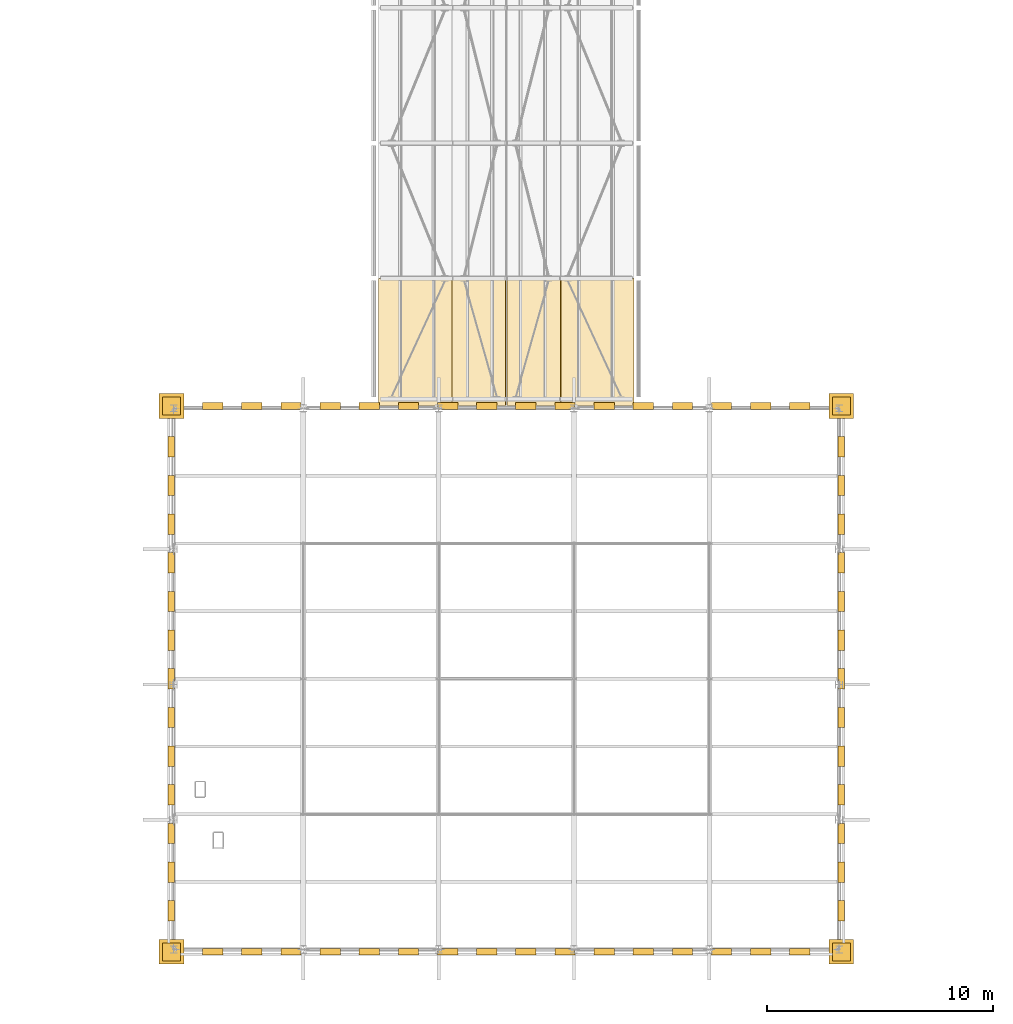
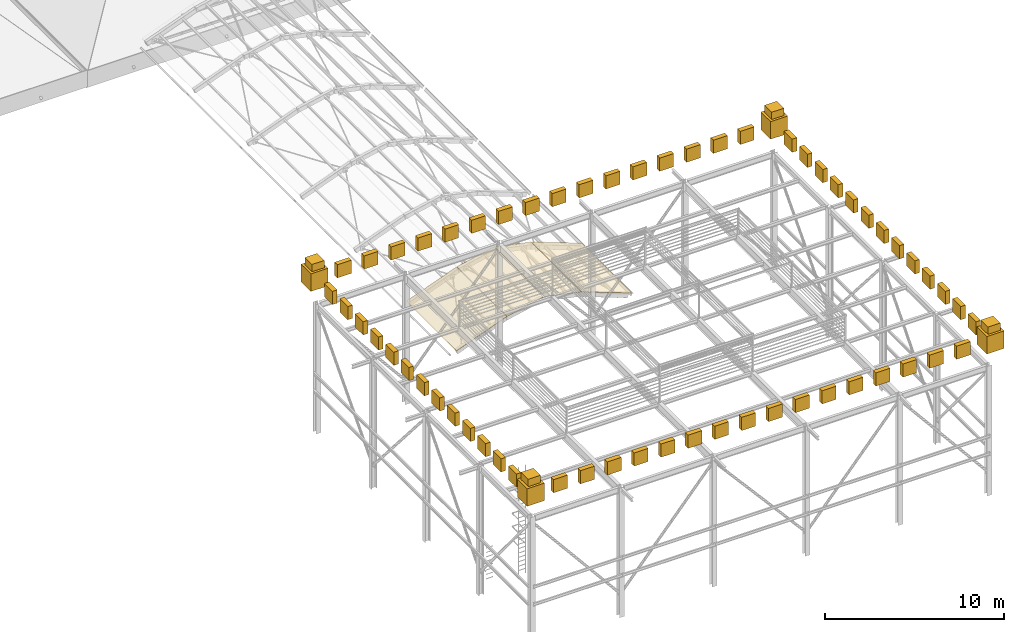
# One storey, part 56 of 57: 70 coverings.
"""IFC4 building model written with IfcOpenShell, lengths in metres."""

from ifc_helpers import new_model, si_unit, direction, frame, origin, place, context, subcontext, project, spatial, polyline, outline, extrude, material, layer, layer_set, type_object, element, save


model = new_model("IFC4")

# Units and contexts
model_context = context("Model", 3, precision=1e-05, world=origin(), true_north=direction((0.0, 1.0)))
body_context = subcontext(model_context, "Body", "Model", "MODEL_VIEW")
ifc_project = project(units=[si_unit("LENGTHUNIT", "METRE"), si_unit("AREAUNIT", "SQUARE_METRE"), si_unit("VOLUMEUNIT", "CUBIC_METRE"), si_unit("PLANEANGLEUNIT", "RADIAN"), si_unit("MASSUNIT", "GRAM", prefix="KILO")], contexts=[model_context])

# Site, building, storey
site_placement = place(None, origin())
site = spatial("IfcSite", under=ifc_project, at=site_placement, CompositionType="ELEMENT")
building_placement = place(site_placement, origin())
building = spatial("IfcBuilding", under=site, at=building_placement, Name="Saffron Lane Theatres", CompositionType="ELEMENT")
storey_placement = place(building_placement, frame((0.0, 0.0, 28.0)))
storey = spatial("IfcBuildingStorey", under=building, at=storey_placement, Name="Upper Roof", CompositionType="ELEMENT", Elevation=28.0)

# Coverings
ifc_material_1 = material(Name="Pale cast stone", Category="masonry")
ifc_layer_1 = layer(ifc_material_1, 1.10009765625)
ifc_layer_set_1 = layer_set([ifc_layer_1], Name="Pale cast stone")
covering_type_1 = type_object("IfcCoveringType", Name="ST-TOWER CROWN PIER", PredefinedType="CLADDING", material=ifc_layer_set_1)
covering_1_placement = place(storey_placement, frame((0.0, 0.0, 10.10009765625)))
element("IfcCovering", 1, at=covering_1_placement, inside=storey, type_object=covering_type_1, Name="TC1", PredefinedType="CLADDING", context=body_context, shape_type="SweptSolid", body=[
    extrude(outline(polyline([(17.60009765625, 29.60009765625), (18.699951171875, 29.60009765625), (18.699951171875, 30.699951171875), (17.60009765625, 30.699951171875), (17.60009765625, 29.60009765625)])), origin(), (0.0, 0.0, 1.0), 1.199951171875),
])
covering_2_placement = place(storey_placement, frame((0.0, 0.0, 11.300048828125)))
element("IfcCovering", 2, at=covering_2_placement, inside=storey, type_object=covering_type_1, Name="TC5", PredefinedType="CLADDING", context=body_context, shape_type="SweptSolid", body=[
    extrude(outline(polyline([(17.75, 29.75), (18.550048828125, 29.75), (18.550048828125, 30.550048828125), (17.75, 30.550048828125), (17.75, 29.75)])), origin(), (0.0, 0.0, 1.0), 0.5),
])
covering_3_placement = place(storey_placement, frame((0.0, 0.0, 10.10009765625)))
element("IfcCovering", 3, at=covering_3_placement, inside=storey, type_object=covering_type_1, Name="TC2", PredefinedType="CLADDING", context=body_context, shape_type="SweptSolid", body=[
    extrude(outline(polyline([(47.300048828125, 29.60009765625), (48.39990234375, 29.60009765625), (48.39990234375, 30.699951171875), (47.300048828125, 30.699951171875), (47.300048828125, 29.60009765625)])), origin(), (0.0, 0.0, 1.0), 1.199951171875),
])
covering_4_placement = place(storey_placement, frame((0.0, 0.0, 11.300048828125)))
element("IfcCovering", 4, at=covering_4_placement, inside=storey, type_object=covering_type_1, Name="TC6", PredefinedType="CLADDING", context=body_context, shape_type="SweptSolid", body=[
    extrude(outline(polyline([(47.449951171875, 29.75), (48.25, 29.75), (48.25, 30.550048828125), (47.449951171875, 30.550048828125), (47.449951171875, 29.75)])), origin(), (0.0, 0.0, 1.0), 0.5),
])
covering_5_placement = place(storey_placement, frame((0.0, 0.0, 10.10009765625)))
element("IfcCovering", 5, at=covering_5_placement, inside=storey, type_object=covering_type_1, Name="TC3", PredefinedType="CLADDING", context=body_context, shape_type="SweptSolid", body=[
    extrude(outline(polyline([(17.60009765625, 53.800048828125), (18.699951171875, 53.800048828125), (18.699951171875, 54.89990234375), (17.60009765625, 54.89990234375), (17.60009765625, 53.800048828125)])), origin(), (0.0, 0.0, 1.0), 1.199951171875),
])
covering_6_placement = place(storey_placement, frame((0.0, 0.0, 11.300048828125)))
element("IfcCovering", 6, at=covering_6_placement, inside=storey, type_object=covering_type_1, Name="TC7", PredefinedType="CLADDING", context=body_context, shape_type="SweptSolid", body=[
    extrude(outline(polyline([(17.75, 53.949951171875), (18.550048828125, 53.949951171875), (18.550048828125, 54.75), (17.75, 54.75), (17.75, 53.949951171875)])), origin(), (0.0, 0.0, 1.0), 0.5),
])
covering_7_placement = place(storey_placement, frame((0.0, 0.0, 10.10009765625)))
element("IfcCovering", 7, at=covering_7_placement, inside=storey, type_object=covering_type_1, Name="TC4", PredefinedType="CLADDING", context=body_context, shape_type="SweptSolid", body=[
    extrude(outline(polyline([(47.300048828125, 53.800048828125), (48.39990234375, 53.800048828125), (48.39990234375, 54.89990234375), (47.300048828125, 54.89990234375), (47.300048828125, 53.800048828125)])), origin(), (0.0, 0.0, 1.0), 1.199951171875),
])
covering_8_placement = place(storey_placement, frame((0.0, 0.0, 11.300048828125)))
element("IfcCovering", 8, at=covering_8_placement, inside=storey, type_object=covering_type_1, Name="TC8", PredefinedType="CLADDING", context=body_context, shape_type="SweptSolid", body=[
    extrude(outline(polyline([(47.449951171875, 53.949951171875), (48.25, 53.949951171875), (48.25, 54.75), (47.449951171875, 54.75), (47.449951171875, 53.949951171875)])), origin(), (0.0, 0.0, 1.0), 0.5),
])
ifc_material_2 = material(Name="Pale cast stone", Category="masonry")
ifc_layer_2 = layer(ifc_material_2, 0.300048828125)
ifc_layer_set_2 = layer_set([ifc_layer_2], Name="Pale cast stone")
covering_type_2 = type_object("IfcCoveringType", Name="ST-TOWER MERLON", PredefinedType="CLADDING", material=ifc_layer_set_2)
covering_9_placement = place(storey_placement, frame((0.0, 0.0, 10.10009765625)))
element("IfcCovering", 9, at=covering_9_placement, inside=storey, type_object=covering_type_2, Name="TM1", PredefinedType="CLADDING", context=body_context, shape_type="SweptSolid", body=[
    extrude(outline(polyline([(19.535400390625, 30.0), (20.435302734375, 30.0), (20.435302734375, 30.300048828125), (19.535400390625, 30.300048828125), (19.535400390625, 30.0)])), origin(), (0.0, 0.0, 1.0), 0.89990234375),
])
covering_10_placement = place(storey_placement, frame((0.0, 0.0, 10.10009765625)))
element("IfcCovering", 10, at=covering_10_placement, inside=storey, type_object=covering_type_2, Name="TM2", PredefinedType="CLADDING", context=body_context, shape_type="SweptSolid", body=[
    extrude(outline(polyline([(21.2705078125, 30.0), (22.170654296875, 30.0), (22.170654296875, 30.300048828125), (21.2705078125, 30.300048828125), (21.2705078125, 30.0)])), origin(), (0.0, 0.0, 1.0), 0.89990234375),
])
covering_11_placement = place(storey_placement, frame((0.0, 0.0, 10.10009765625)))
element("IfcCovering", 11, at=covering_11_placement, inside=storey, type_object=covering_type_2, Name="TM3", PredefinedType="CLADDING", context=body_context, shape_type="SweptSolid", body=[
    extrude(outline(polyline([(23.005859375, 30.0), (23.90576171875, 30.0), (23.90576171875, 30.300048828125), (23.005859375, 30.300048828125), (23.005859375, 30.0)])), origin(), (0.0, 0.0, 1.0), 0.89990234375),
])
covering_12_placement = place(storey_placement, frame((0.0, 0.0, 10.10009765625)))
element("IfcCovering", 12, at=covering_12_placement, inside=storey, type_object=covering_type_2, Name="TM4", PredefinedType="CLADDING", context=body_context, shape_type="SweptSolid", body=[
    extrude(outline(polyline([(24.7412109375, 30.0), (25.64111328125, 30.0), (25.64111328125, 30.300048828125), (24.7412109375, 30.300048828125), (24.7412109375, 30.0)])), origin(), (0.0, 0.0, 1.0), 0.89990234375),
])
covering_13_placement = place(storey_placement, frame((0.0, 0.0, 10.10009765625)))
element("IfcCovering", 13, at=covering_13_placement, inside=storey, type_object=covering_type_2, Name="TM5", PredefinedType="CLADDING", context=body_context, shape_type="SweptSolid", body=[
    extrude(outline(polyline([(26.4765625, 30.0), (27.37646484375, 30.0), (27.37646484375, 30.300048828125), (26.4765625, 30.300048828125), (26.4765625, 30.0)])), origin(), (0.0, 0.0, 1.0), 0.89990234375),
])
covering_14_placement = place(storey_placement, frame((0.0, 0.0, 10.10009765625)))
element("IfcCovering", 14, at=covering_14_placement, inside=storey, type_object=covering_type_2, Name="TM6", PredefinedType="CLADDING", context=body_context, shape_type="SweptSolid", body=[
    extrude(outline(polyline([(28.211669921875, 30.0), (29.11181640625, 30.0), (29.11181640625, 30.300048828125), (28.211669921875, 30.300048828125), (28.211669921875, 30.0)])), origin(), (0.0, 0.0, 1.0), 0.89990234375),
])
covering_15_placement = place(storey_placement, frame((0.0, 0.0, 10.10009765625)))
element("IfcCovering", 15, at=covering_15_placement, inside=storey, type_object=covering_type_2, Name="TM7", PredefinedType="CLADDING", context=body_context, shape_type="SweptSolid", body=[
    extrude(outline(polyline([(29.947021484375, 30.0), (30.84716796875, 30.0), (30.84716796875, 30.300048828125), (29.947021484375, 30.300048828125), (29.947021484375, 30.0)])), origin(), (0.0, 0.0, 1.0), 0.89990234375),
])
covering_16_placement = place(storey_placement, frame((0.0, 0.0, 10.10009765625)))
element("IfcCovering", 16, at=covering_16_placement, inside=storey, type_object=covering_type_2, Name="TM8", PredefinedType="CLADDING", context=body_context, shape_type="SweptSolid", body=[
    extrude(outline(polyline([(31.682373046875, 30.0), (32.582275390625, 30.0), (32.582275390625, 30.300048828125), (31.682373046875, 30.300048828125), (31.682373046875, 30.0)])), origin(), (0.0, 0.0, 1.0), 0.89990234375),
])
covering_17_placement = place(storey_placement, frame((0.0, 0.0, 10.10009765625)))
element("IfcCovering", 17, at=covering_17_placement, inside=storey, type_object=covering_type_2, Name="TM9", PredefinedType="CLADDING", context=body_context, shape_type="SweptSolid", body=[
    extrude(outline(polyline([(33.417724609375, 30.0), (34.317626953125, 30.0), (34.317626953125, 30.300048828125), (33.417724609375, 30.300048828125), (33.417724609375, 30.0)])), origin(), (0.0, 0.0, 1.0), 0.89990234375),
])
covering_18_placement = place(storey_placement, frame((0.0, 0.0, 10.10009765625)))
element("IfcCovering", 18, at=covering_18_placement, inside=storey, type_object=covering_type_2, Name="TM10", PredefinedType="CLADDING", context=body_context, shape_type="SweptSolid", body=[
    extrude(outline(polyline([(35.15283203125, 30.0), (36.052978515625, 30.0), (36.052978515625, 30.300048828125), (35.15283203125, 30.300048828125), (35.15283203125, 30.0)])), origin(), (0.0, 0.0, 1.0), 0.89990234375),
])
covering_19_placement = place(storey_placement, frame((0.0, 0.0, 10.10009765625)))
element("IfcCovering", 19, at=covering_19_placement, inside=storey, type_object=covering_type_2, Name="TM11", PredefinedType="CLADDING", context=body_context, shape_type="SweptSolid", body=[
    extrude(outline(polyline([(36.88818359375, 30.0), (37.788330078125, 30.0), (37.788330078125, 30.300048828125), (36.88818359375, 30.300048828125), (36.88818359375, 30.0)])), origin(), (0.0, 0.0, 1.0), 0.89990234375),
])
covering_20_placement = place(storey_placement, frame((0.0, 0.0, 10.10009765625)))
element("IfcCovering", 20, at=covering_20_placement, inside=storey, type_object=covering_type_2, Name="TM12", PredefinedType="CLADDING", context=body_context, shape_type="SweptSolid", body=[
    extrude(outline(polyline([(38.62353515625, 30.0), (39.5234375, 30.0), (39.5234375, 30.300048828125), (38.62353515625, 30.300048828125), (38.62353515625, 30.0)])), origin(), (0.0, 0.0, 1.0), 0.89990234375),
])
covering_21_placement = place(storey_placement, frame((0.0, 0.0, 10.10009765625)))
element("IfcCovering", 21, at=covering_21_placement, inside=storey, type_object=covering_type_2, Name="TM13", PredefinedType="CLADDING", context=body_context, shape_type="SweptSolid", body=[
    extrude(outline(polyline([(40.35888671875, 30.0), (41.2587890625, 30.0), (41.2587890625, 30.300048828125), (40.35888671875, 30.300048828125), (40.35888671875, 30.0)])), origin(), (0.0, 0.0, 1.0), 0.89990234375),
])
covering_22_placement = place(storey_placement, frame((0.0, 0.0, 10.10009765625)))
element("IfcCovering", 22, at=covering_22_placement, inside=storey, type_object=covering_type_2, Name="TM14", PredefinedType="CLADDING", context=body_context, shape_type="SweptSolid", body=[
    extrude(outline(polyline([(42.09423828125, 30.0), (42.994140625, 30.0), (42.994140625, 30.300048828125), (42.09423828125, 30.300048828125), (42.09423828125, 30.0)])), origin(), (0.0, 0.0, 1.0), 0.89990234375),
])
covering_23_placement = place(storey_placement, frame((0.0, 0.0, 10.10009765625)))
element("IfcCovering", 23, at=covering_23_placement, inside=storey, type_object=covering_type_2, Name="TM15", PredefinedType="CLADDING", context=body_context, shape_type="SweptSolid", body=[
    extrude(outline(polyline([(43.829345703125, 30.0), (44.7294921875, 30.0), (44.7294921875, 30.300048828125), (43.829345703125, 30.300048828125), (43.829345703125, 30.0)])), origin(), (0.0, 0.0, 1.0), 0.89990234375),
])
covering_24_placement = place(storey_placement, frame((0.0, 0.0, 10.10009765625)))
element("IfcCovering", 24, at=covering_24_placement, inside=storey, type_object=covering_type_2, Name="TM16", PredefinedType="CLADDING", context=body_context, shape_type="SweptSolid", body=[
    extrude(outline(polyline([(45.564697265625, 30.0), (46.464599609375, 30.0), (46.464599609375, 30.300048828125), (45.564697265625, 30.300048828125), (45.564697265625, 30.0)])), origin(), (0.0, 0.0, 1.0), 0.89990234375),
])
covering_25_placement = place(storey_placement, frame((0.0, 0.0, 10.10009765625)))
element("IfcCovering", 25, at=covering_25_placement, inside=storey, type_object=covering_type_2, Name="TM17", PredefinedType="CLADDING", context=body_context, shape_type="SweptSolid", body=[
    extrude(outline(polyline([(19.535400390625, 54.199951171875), (20.435302734375, 54.199951171875), (20.435302734375, 54.5), (19.535400390625, 54.5), (19.535400390625, 54.199951171875)])), origin(), (0.0, 0.0, 1.0), 0.89990234375),
])
covering_26_placement = place(storey_placement, frame((0.0, 0.0, 10.10009765625)))
element("IfcCovering", 26, at=covering_26_placement, inside=storey, type_object=covering_type_2, Name="TM18", PredefinedType="CLADDING", context=body_context, shape_type="SweptSolid", body=[
    extrude(outline(polyline([(21.2705078125, 54.199951171875), (22.170654296875, 54.199951171875), (22.170654296875, 54.5), (21.2705078125, 54.5), (21.2705078125, 54.199951171875)])), origin(), (0.0, 0.0, 1.0), 0.89990234375),
])
covering_27_placement = place(storey_placement, frame((0.0, 0.0, 10.10009765625)))
element("IfcCovering", 27, at=covering_27_placement, inside=storey, type_object=covering_type_2, Name="TM19", PredefinedType="CLADDING", context=body_context, shape_type="SweptSolid", body=[
    extrude(outline(polyline([(23.005859375, 54.199951171875), (23.90576171875, 54.199951171875), (23.90576171875, 54.5), (23.005859375, 54.5), (23.005859375, 54.199951171875)])), origin(), (0.0, 0.0, 1.0), 0.89990234375),
])
covering_28_placement = place(storey_placement, frame((0.0, 0.0, 10.10009765625)))
element("IfcCovering", 28, at=covering_28_placement, inside=storey, type_object=covering_type_2, Name="TM20", PredefinedType="CLADDING", context=body_context, shape_type="SweptSolid", body=[
    extrude(outline(polyline([(24.7412109375, 54.199951171875), (25.64111328125, 54.199951171875), (25.64111328125, 54.5), (24.7412109375, 54.5), (24.7412109375, 54.199951171875)])), origin(), (0.0, 0.0, 1.0), 0.89990234375),
])
covering_29_placement = place(storey_placement, frame((0.0, 0.0, 10.10009765625)))
element("IfcCovering", 29, at=covering_29_placement, inside=storey, type_object=covering_type_2, Name="TM21", PredefinedType="CLADDING", context=body_context, shape_type="SweptSolid", body=[
    extrude(outline(polyline([(26.4765625, 54.199951171875), (27.37646484375, 54.199951171875), (27.37646484375, 54.5), (26.4765625, 54.5), (26.4765625, 54.199951171875)])), origin(), (0.0, 0.0, 1.0), 0.89990234375),
])
covering_30_placement = place(storey_placement, frame((0.0, 0.0, 10.10009765625)))
element("IfcCovering", 30, at=covering_30_placement, inside=storey, type_object=covering_type_2, Name="TM22", PredefinedType="CLADDING", context=body_context, shape_type="SweptSolid", body=[
    extrude(outline(polyline([(28.211669921875, 54.199951171875), (29.11181640625, 54.199951171875), (29.11181640625, 54.5), (28.211669921875, 54.5), (28.211669921875, 54.199951171875)])), origin(), (0.0, 0.0, 1.0), 0.89990234375),
])
covering_31_placement = place(storey_placement, frame((0.0, 0.0, 10.10009765625)))
element("IfcCovering", 31, at=covering_31_placement, inside=storey, type_object=covering_type_2, Name="TM23", PredefinedType="CLADDING", context=body_context, shape_type="SweptSolid", body=[
    extrude(outline(polyline([(29.947021484375, 54.199951171875), (30.84716796875, 54.199951171875), (30.84716796875, 54.5), (29.947021484375, 54.5), (29.947021484375, 54.199951171875)])), origin(), (0.0, 0.0, 1.0), 0.89990234375),
])
covering_32_placement = place(storey_placement, frame((0.0, 0.0, 10.10009765625)))
element("IfcCovering", 32, at=covering_32_placement, inside=storey, type_object=covering_type_2, Name="TM24", PredefinedType="CLADDING", context=body_context, shape_type="SweptSolid", body=[
    extrude(outline(polyline([(31.682373046875, 54.199951171875), (32.582275390625, 54.199951171875), (32.582275390625, 54.5), (31.682373046875, 54.5), (31.682373046875, 54.199951171875)])), origin(), (0.0, 0.0, 1.0), 0.89990234375),
])
covering_33_placement = place(storey_placement, frame((0.0, 0.0, 10.10009765625)))
element("IfcCovering", 33, at=covering_33_placement, inside=storey, type_object=covering_type_2, Name="TM25", PredefinedType="CLADDING", context=body_context, shape_type="SweptSolid", body=[
    extrude(outline(polyline([(33.417724609375, 54.199951171875), (34.317626953125, 54.199951171875), (34.317626953125, 54.5), (33.417724609375, 54.5), (33.417724609375, 54.199951171875)])), origin(), (0.0, 0.0, 1.0), 0.89990234375),
])
covering_34_placement = place(storey_placement, frame((0.0, 0.0, 10.10009765625)))
element("IfcCovering", 34, at=covering_34_placement, inside=storey, type_object=covering_type_2, Name="TM26", PredefinedType="CLADDING", context=body_context, shape_type="SweptSolid", body=[
    extrude(outline(polyline([(35.15283203125, 54.199951171875), (36.052978515625, 54.199951171875), (36.052978515625, 54.5), (35.15283203125, 54.5), (35.15283203125, 54.199951171875)])), origin(), (0.0, 0.0, 1.0), 0.89990234375),
])
covering_35_placement = place(storey_placement, frame((0.0, 0.0, 10.10009765625)))
element("IfcCovering", 35, at=covering_35_placement, inside=storey, type_object=covering_type_2, Name="TM27", PredefinedType="CLADDING", context=body_context, shape_type="SweptSolid", body=[
    extrude(outline(polyline([(36.88818359375, 54.199951171875), (37.788330078125, 54.199951171875), (37.788330078125, 54.5), (36.88818359375, 54.5), (36.88818359375, 54.199951171875)])), origin(), (0.0, 0.0, 1.0), 0.89990234375),
])
covering_36_placement = place(storey_placement, frame((0.0, 0.0, 10.10009765625)))
element("IfcCovering", 36, at=covering_36_placement, inside=storey, type_object=covering_type_2, Name="TM28", PredefinedType="CLADDING", context=body_context, shape_type="SweptSolid", body=[
    extrude(outline(polyline([(38.62353515625, 54.199951171875), (39.5234375, 54.199951171875), (39.5234375, 54.5), (38.62353515625, 54.5), (38.62353515625, 54.199951171875)])), origin(), (0.0, 0.0, 1.0), 0.89990234375),
])
covering_37_placement = place(storey_placement, frame((0.0, 0.0, 10.10009765625)))
element("IfcCovering", 37, at=covering_37_placement, inside=storey, type_object=covering_type_2, Name="TM29", PredefinedType="CLADDING", context=body_context, shape_type="SweptSolid", body=[
    extrude(outline(polyline([(40.35888671875, 54.199951171875), (41.2587890625, 54.199951171875), (41.2587890625, 54.5), (40.35888671875, 54.5), (40.35888671875, 54.199951171875)])), origin(), (0.0, 0.0, 1.0), 0.89990234375),
])
covering_38_placement = place(storey_placement, frame((0.0, 0.0, 10.10009765625)))
element("IfcCovering", 38, at=covering_38_placement, inside=storey, type_object=covering_type_2, Name="TM30", PredefinedType="CLADDING", context=body_context, shape_type="SweptSolid", body=[
    extrude(outline(polyline([(42.09423828125, 54.199951171875), (42.994140625, 54.199951171875), (42.994140625, 54.5), (42.09423828125, 54.5), (42.09423828125, 54.199951171875)])), origin(), (0.0, 0.0, 1.0), 0.89990234375),
])
covering_39_placement = place(storey_placement, frame((0.0, 0.0, 10.10009765625)))
element("IfcCovering", 39, at=covering_39_placement, inside=storey, type_object=covering_type_2, Name="TM31", PredefinedType="CLADDING", context=body_context, shape_type="SweptSolid", body=[
    extrude(outline(polyline([(43.829345703125, 54.199951171875), (44.7294921875, 54.199951171875), (44.7294921875, 54.5), (43.829345703125, 54.5), (43.829345703125, 54.199951171875)])), origin(), (0.0, 0.0, 1.0), 0.89990234375),
])
covering_40_placement = place(storey_placement, frame((0.0, 0.0, 10.10009765625)))
element("IfcCovering", 40, at=covering_40_placement, inside=storey, type_object=covering_type_2, Name="TM32", PredefinedType="CLADDING", context=body_context, shape_type="SweptSolid", body=[
    extrude(outline(polyline([(45.564697265625, 54.199951171875), (46.464599609375, 54.199951171875), (46.464599609375, 54.5), (45.564697265625, 54.5), (45.564697265625, 54.199951171875)])), origin(), (0.0, 0.0, 1.0), 0.89990234375),
])
covering_41_placement = place(storey_placement, frame((0.0, 0.0, 10.10009765625)))
element("IfcCovering", 41, at=covering_41_placement, inside=storey, type_object=covering_type_2, Name="TM33", PredefinedType="CLADDING", context=body_context, shape_type="SweptSolid", body=[
    extrude(outline(polyline([(18.0, 31.514404296875), (18.300048828125, 31.514404296875), (18.300048828125, 32.414306640625), (18.0, 32.414306640625), (18.0, 31.514404296875)])), origin(), (0.0, 0.0, 1.0), 0.89990234375),
])
covering_42_placement = place(storey_placement, frame((0.0, 0.0, 10.10009765625)))
element("IfcCovering", 42, at=covering_42_placement, inside=storey, type_object=covering_type_2, Name="TM34", PredefinedType="CLADDING", context=body_context, shape_type="SweptSolid", body=[
    extrude(outline(polyline([(18.0, 33.228515625), (18.300048828125, 33.228515625), (18.300048828125, 34.128662109375), (18.0, 34.128662109375), (18.0, 33.228515625)])), origin(), (0.0, 0.0, 1.0), 0.89990234375),
])
covering_43_placement = place(storey_placement, frame((0.0, 0.0, 10.10009765625)))
element("IfcCovering", 43, at=covering_43_placement, inside=storey, type_object=covering_type_2, Name="TM35", PredefinedType="CLADDING", context=body_context, shape_type="SweptSolid", body=[
    extrude(outline(polyline([(18.0, 34.94287109375), (18.300048828125, 34.94287109375), (18.300048828125, 35.8427734375), (18.0, 35.8427734375), (18.0, 34.94287109375)])), origin(), (0.0, 0.0, 1.0), 0.89990234375),
])
covering_44_placement = place(storey_placement, frame((0.0, 0.0, 10.10009765625)))
element("IfcCovering", 44, at=covering_44_placement, inside=storey, type_object=covering_type_2, Name="TM36", PredefinedType="CLADDING", context=body_context, shape_type="SweptSolid", body=[
    extrude(outline(polyline([(18.0, 36.6572265625), (18.300048828125, 36.6572265625), (18.300048828125, 37.55712890625), (18.0, 37.55712890625), (18.0, 36.6572265625)])), origin(), (0.0, 0.0, 1.0), 0.89990234375),
])
covering_45_placement = place(storey_placement, frame((0.0, 0.0, 10.10009765625)))
element("IfcCovering", 45, at=covering_45_placement, inside=storey, type_object=covering_type_2, Name="TM37", PredefinedType="CLADDING", context=body_context, shape_type="SweptSolid", body=[
    extrude(outline(polyline([(18.0, 38.371337890625), (18.300048828125, 38.371337890625), (18.300048828125, 39.271484375), (18.0, 39.271484375), (18.0, 38.371337890625)])), origin(), (0.0, 0.0, 1.0), 0.89990234375),
])
covering_46_placement = place(storey_placement, frame((0.0, 0.0, 10.10009765625)))
element("IfcCovering", 46, at=covering_46_placement, inside=storey, type_object=covering_type_2, Name="TM38", PredefinedType="CLADDING", context=body_context, shape_type="SweptSolid", body=[
    extrude(outline(polyline([(18.0, 40.085693359375), (18.300048828125, 40.085693359375), (18.300048828125, 40.985595703125), (18.0, 40.985595703125), (18.0, 40.085693359375)])), origin(), (0.0, 0.0, 1.0), 0.89990234375),
])
covering_47_placement = place(storey_placement, frame((0.0, 0.0, 10.10009765625)))
element("IfcCovering", 47, at=covering_47_placement, inside=storey, type_object=covering_type_2, Name="TM39", PredefinedType="CLADDING", context=body_context, shape_type="SweptSolid", body=[
    extrude(outline(polyline([(18.0, 41.800048828125), (18.300048828125, 41.800048828125), (18.300048828125, 42.699951171875), (18.0, 42.699951171875), (18.0, 41.800048828125)])), origin(), (0.0, 0.0, 1.0), 0.89990234375),
])
covering_48_placement = place(storey_placement, frame((0.0, 0.0, 10.10009765625)))
element("IfcCovering", 48, at=covering_48_placement, inside=storey, type_object=covering_type_2, Name="TM40", PredefinedType="CLADDING", context=body_context, shape_type="SweptSolid", body=[
    extrude(outline(polyline([(18.0, 43.514404296875), (18.300048828125, 43.514404296875), (18.300048828125, 44.414306640625), (18.0, 44.414306640625), (18.0, 43.514404296875)])), origin(), (0.0, 0.0, 1.0), 0.89990234375),
])
covering_49_placement = place(storey_placement, frame((0.0, 0.0, 10.10009765625)))
element("IfcCovering", 49, at=covering_49_placement, inside=storey, type_object=covering_type_2, Name="TM41", PredefinedType="CLADDING", context=body_context, shape_type="SweptSolid", body=[
    extrude(outline(polyline([(18.0, 45.228515625), (18.300048828125, 45.228515625), (18.300048828125, 46.128662109375), (18.0, 46.128662109375), (18.0, 45.228515625)])), origin(), (0.0, 0.0, 1.0), 0.89990234375),
])
covering_50_placement = place(storey_placement, frame((0.0, 0.0, 10.10009765625)))
element("IfcCovering", 50, at=covering_50_placement, inside=storey, type_object=covering_type_2, Name="TM42", PredefinedType="CLADDING", context=body_context, shape_type="SweptSolid", body=[
    extrude(outline(polyline([(18.0, 46.94287109375), (18.300048828125, 46.94287109375), (18.300048828125, 47.8427734375), (18.0, 47.8427734375), (18.0, 46.94287109375)])), origin(), (0.0, 0.0, 1.0), 0.89990234375),
])
covering_51_placement = place(storey_placement, frame((0.0, 0.0, 10.10009765625)))
element("IfcCovering", 51, at=covering_51_placement, inside=storey, type_object=covering_type_2, Name="TM43", PredefinedType="CLADDING", context=body_context, shape_type="SweptSolid", body=[
    extrude(outline(polyline([(18.0, 48.6572265625), (18.300048828125, 48.6572265625), (18.300048828125, 49.55712890625), (18.0, 49.55712890625), (18.0, 48.6572265625)])), origin(), (0.0, 0.0, 1.0), 0.89990234375),
])
covering_52_placement = place(storey_placement, frame((0.0, 0.0, 10.10009765625)))
element("IfcCovering", 52, at=covering_52_placement, inside=storey, type_object=covering_type_2, Name="TM44", PredefinedType="CLADDING", context=body_context, shape_type="SweptSolid", body=[
    extrude(outline(polyline([(18.0, 50.371337890625), (18.300048828125, 50.371337890625), (18.300048828125, 51.271484375), (18.0, 51.271484375), (18.0, 50.371337890625)])), origin(), (0.0, 0.0, 1.0), 0.89990234375),
])
covering_53_placement = place(storey_placement, frame((0.0, 0.0, 10.10009765625)))
element("IfcCovering", 53, at=covering_53_placement, inside=storey, type_object=covering_type_2, Name="TM45", PredefinedType="CLADDING", context=body_context, shape_type="SweptSolid", body=[
    extrude(outline(polyline([(18.0, 52.085693359375), (18.300048828125, 52.085693359375), (18.300048828125, 52.985595703125), (18.0, 52.985595703125), (18.0, 52.085693359375)])), origin(), (0.0, 0.0, 1.0), 0.89990234375),
])
covering_54_placement = place(storey_placement, frame((0.0, 0.0, 10.10009765625)))
element("IfcCovering", 54, at=covering_54_placement, inside=storey, type_object=covering_type_2, Name="TM46", PredefinedType="CLADDING", context=body_context, shape_type="SweptSolid", body=[
    extrude(outline(polyline([(47.699951171875, 31.514404296875), (48.0, 31.514404296875), (48.0, 32.414306640625), (47.699951171875, 32.414306640625), (47.699951171875, 31.514404296875)])), origin(), (0.0, 0.0, 1.0), 0.89990234375),
])
covering_55_placement = place(storey_placement, frame((0.0, 0.0, 10.10009765625)))
element("IfcCovering", 55, at=covering_55_placement, inside=storey, type_object=covering_type_2, Name="TM47", PredefinedType="CLADDING", context=body_context, shape_type="SweptSolid", body=[
    extrude(outline(polyline([(47.699951171875, 33.228515625), (48.0, 33.228515625), (48.0, 34.128662109375), (47.699951171875, 34.128662109375), (47.699951171875, 33.228515625)])), origin(), (0.0, 0.0, 1.0), 0.89990234375),
])
covering_56_placement = place(storey_placement, frame((0.0, 0.0, 10.10009765625)))
element("IfcCovering", 56, at=covering_56_placement, inside=storey, type_object=covering_type_2, Name="TM48", PredefinedType="CLADDING", context=body_context, shape_type="SweptSolid", body=[
    extrude(outline(polyline([(47.699951171875, 34.94287109375), (48.0, 34.94287109375), (48.0, 35.8427734375), (47.699951171875, 35.8427734375), (47.699951171875, 34.94287109375)])), origin(), (0.0, 0.0, 1.0), 0.89990234375),
])
covering_57_placement = place(storey_placement, frame((0.0, 0.0, 10.10009765625)))
element("IfcCovering", 57, at=covering_57_placement, inside=storey, type_object=covering_type_2, Name="TM49", PredefinedType="CLADDING", context=body_context, shape_type="SweptSolid", body=[
    extrude(outline(polyline([(47.699951171875, 36.6572265625), (48.0, 36.6572265625), (48.0, 37.55712890625), (47.699951171875, 37.55712890625), (47.699951171875, 36.6572265625)])), origin(), (0.0, 0.0, 1.0), 0.89990234375),
])
covering_58_placement = place(storey_placement, frame((0.0, 0.0, 10.10009765625)))
element("IfcCovering", 58, at=covering_58_placement, inside=storey, type_object=covering_type_2, Name="TM50", PredefinedType="CLADDING", context=body_context, shape_type="SweptSolid", body=[
    extrude(outline(polyline([(47.699951171875, 38.371337890625), (48.0, 38.371337890625), (48.0, 39.271484375), (47.699951171875, 39.271484375), (47.699951171875, 38.371337890625)])), origin(), (0.0, 0.0, 1.0), 0.89990234375),
])
covering_59_placement = place(storey_placement, frame((0.0, 0.0, 10.10009765625)))
element("IfcCovering", 59, at=covering_59_placement, inside=storey, type_object=covering_type_2, Name="TM51", PredefinedType="CLADDING", context=body_context, shape_type="SweptSolid", body=[
    extrude(outline(polyline([(47.699951171875, 40.085693359375), (48.0, 40.085693359375), (48.0, 40.985595703125), (47.699951171875, 40.985595703125), (47.699951171875, 40.085693359375)])), origin(), (0.0, 0.0, 1.0), 0.89990234375),
])
covering_60_placement = place(storey_placement, frame((0.0, 0.0, 10.10009765625)))
element("IfcCovering", 60, at=covering_60_placement, inside=storey, type_object=covering_type_2, Name="TM52", PredefinedType="CLADDING", context=body_context, shape_type="SweptSolid", body=[
    extrude(outline(polyline([(47.699951171875, 41.800048828125), (48.0, 41.800048828125), (48.0, 42.699951171875), (47.699951171875, 42.699951171875), (47.699951171875, 41.800048828125)])), origin(), (0.0, 0.0, 1.0), 0.89990234375),
])
covering_61_placement = place(storey_placement, frame((0.0, 0.0, 10.10009765625)))
element("IfcCovering", 61, at=covering_61_placement, inside=storey, type_object=covering_type_2, Name="TM53", PredefinedType="CLADDING", context=body_context, shape_type="SweptSolid", body=[
    extrude(outline(polyline([(47.699951171875, 43.514404296875), (48.0, 43.514404296875), (48.0, 44.414306640625), (47.699951171875, 44.414306640625), (47.699951171875, 43.514404296875)])), origin(), (0.0, 0.0, 1.0), 0.89990234375),
])
covering_62_placement = place(storey_placement, frame((0.0, 0.0, 10.10009765625)))
element("IfcCovering", 62, at=covering_62_placement, inside=storey, type_object=covering_type_2, Name="TM54", PredefinedType="CLADDING", context=body_context, shape_type="SweptSolid", body=[
    extrude(outline(polyline([(47.699951171875, 45.228515625), (48.0, 45.228515625), (48.0, 46.128662109375), (47.699951171875, 46.128662109375), (47.699951171875, 45.228515625)])), origin(), (0.0, 0.0, 1.0), 0.89990234375),
])
covering_63_placement = place(storey_placement, frame((0.0, 0.0, 10.10009765625)))
element("IfcCovering", 63, at=covering_63_placement, inside=storey, type_object=covering_type_2, Name="TM55", PredefinedType="CLADDING", context=body_context, shape_type="SweptSolid", body=[
    extrude(outline(polyline([(47.699951171875, 46.94287109375), (48.0, 46.94287109375), (48.0, 47.8427734375), (47.699951171875, 47.8427734375), (47.699951171875, 46.94287109375)])), origin(), (0.0, 0.0, 1.0), 0.89990234375),
])
covering_64_placement = place(storey_placement, frame((0.0, 0.0, 10.10009765625)))
element("IfcCovering", 64, at=covering_64_placement, inside=storey, type_object=covering_type_2, Name="TM56", PredefinedType="CLADDING", context=body_context, shape_type="SweptSolid", body=[
    extrude(outline(polyline([(47.699951171875, 48.6572265625), (48.0, 48.6572265625), (48.0, 49.55712890625), (47.699951171875, 49.55712890625), (47.699951171875, 48.6572265625)])), origin(), (0.0, 0.0, 1.0), 0.89990234375),
])
covering_65_placement = place(storey_placement, frame((0.0, 0.0, 10.10009765625)))
element("IfcCovering", 65, at=covering_65_placement, inside=storey, type_object=covering_type_2, Name="TM57", PredefinedType="CLADDING", context=body_context, shape_type="SweptSolid", body=[
    extrude(outline(polyline([(47.699951171875, 50.371337890625), (48.0, 50.371337890625), (48.0, 51.271484375), (47.699951171875, 51.271484375), (47.699951171875, 50.371337890625)])), origin(), (0.0, 0.0, 1.0), 0.89990234375),
])
covering_66_placement = place(storey_placement, frame((0.0, 0.0, 10.10009765625)))
element("IfcCovering", 66, at=covering_66_placement, inside=storey, type_object=covering_type_2, Name="TM58", PredefinedType="CLADDING", context=body_context, shape_type="SweptSolid", body=[
    extrude(outline(polyline([(47.699951171875, 52.085693359375), (48.0, 52.085693359375), (48.0, 52.985595703125), (47.699951171875, 52.985595703125), (47.699951171875, 52.085693359375)])), origin(), (0.0, 0.0, 1.0), 0.89990234375),
])
ifc_material_3 = material(Name="Zinc standing seam roofing", Category="metal")
ifc_layer_3 = layer(ifc_material_3, 0.02001953125)
ifc_layer_set_3 = layer_set([ifc_layer_3], Name="Zinc standing seam roofing")
covering_type_3 = type_object("IfcCoveringType", Name="ST-ZINC ROOFING", PredefinedType="ROOFING", material=ifc_layer_set_3)
covering_67_placement = place(storey_placement, frame((27.338623046875, 54.375, 2.2763671875), z_axis=(-0.349669981359, 0.0, 0.936872939163), x_axis=(0.936872939163, 0.0, 0.349669981359)))
element("IfcCovering", 67, at=covering_67_placement, inside=storey, type_object=covering_type_3, Name="VZ1C", PredefinedType="ROOFING", context=body_context, shape_type="SweptSolid", body=[
    extrude(outline(polyline([(0.0, 0.0), (3.4616904031793467, 0.0), (3.4616904031793467, 5.625), (0.0, 5.625), (0.0, 0.0)])), origin(), (0.0, 0.0, -1.0), 0.02001953125),
])
for number, where, z_axis, x_axis, name in (
    (68, (30.5986328125, 54.375, 3.49169921875), (-0.209467339738, 0.0, 0.977815643965), (0.977815643965, 0.0, 0.209467339738), "VZ1D"),
    (69, (33.025146484375, 54.375, 4.000732421875), (0.209467339738, 0.0, 0.977815643965), (0.977815643965, 0.0, -0.209467339738), "VZ1E"),
):
    element("IfcCovering", number, at=place(storey_placement, frame(where, z_axis=z_axis, x_axis=x_axis)), inside=storey, type_object=covering_type_3, Name=name, PredefinedType="ROOFING", context=body_context, shape_type="SweptSolid", body=[
        extrude(outline(polyline([(0.0, 0.0), (2.4301316079265267, 0.0), (2.4301316079265267, 5.625), (0.0, 5.625), (0.0, 0.0)])), origin(), (0.0, 0.0, -1.0), 0.02001953125),
    ])
covering_68_placement = place(storey_placement, frame((35.418212890625, 54.375, 3.48681640625), z_axis=(0.349669981359, 0.0, 0.936872939163), x_axis=(0.936872939163, 0.0, -0.349669981359)))
element("IfcCovering", 70, at=covering_68_placement, inside=storey, type_object=covering_type_3, Name="VZ1F", PredefinedType="ROOFING", context=body_context, shape_type="SweptSolid", body=[
    extrude(outline(polyline([(0.0, 0.0), (3.4616904031793467, 0.0), (3.4616904031793467, 5.625), (0.0, 5.625), (0.0, 0.0)])), origin(), (0.0, 0.0, -1.0), 0.02001953125),
])

save(model, "model.ifc")
